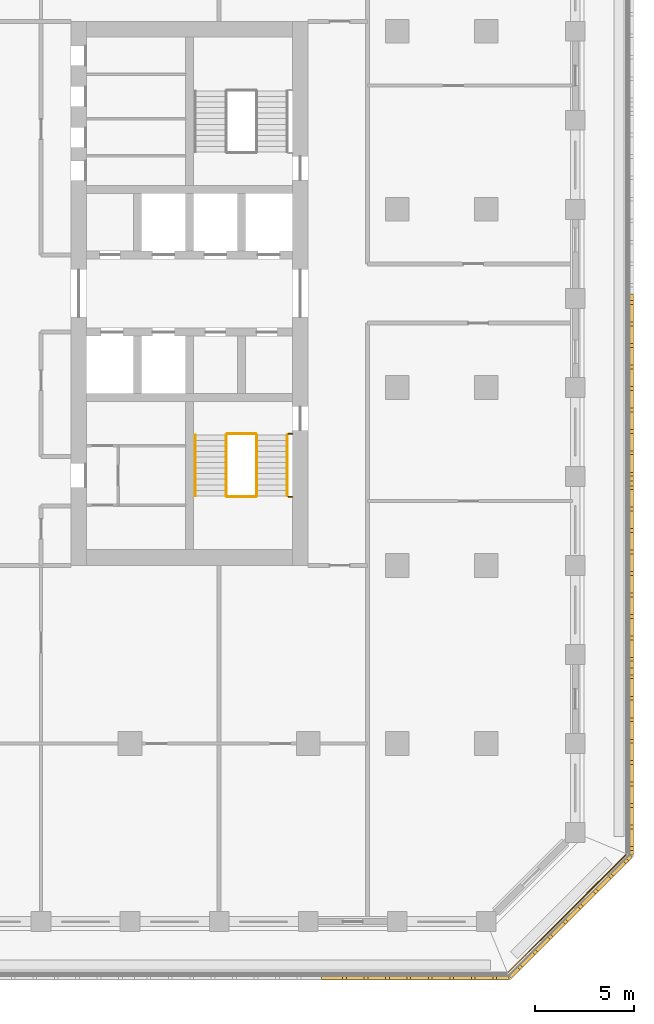
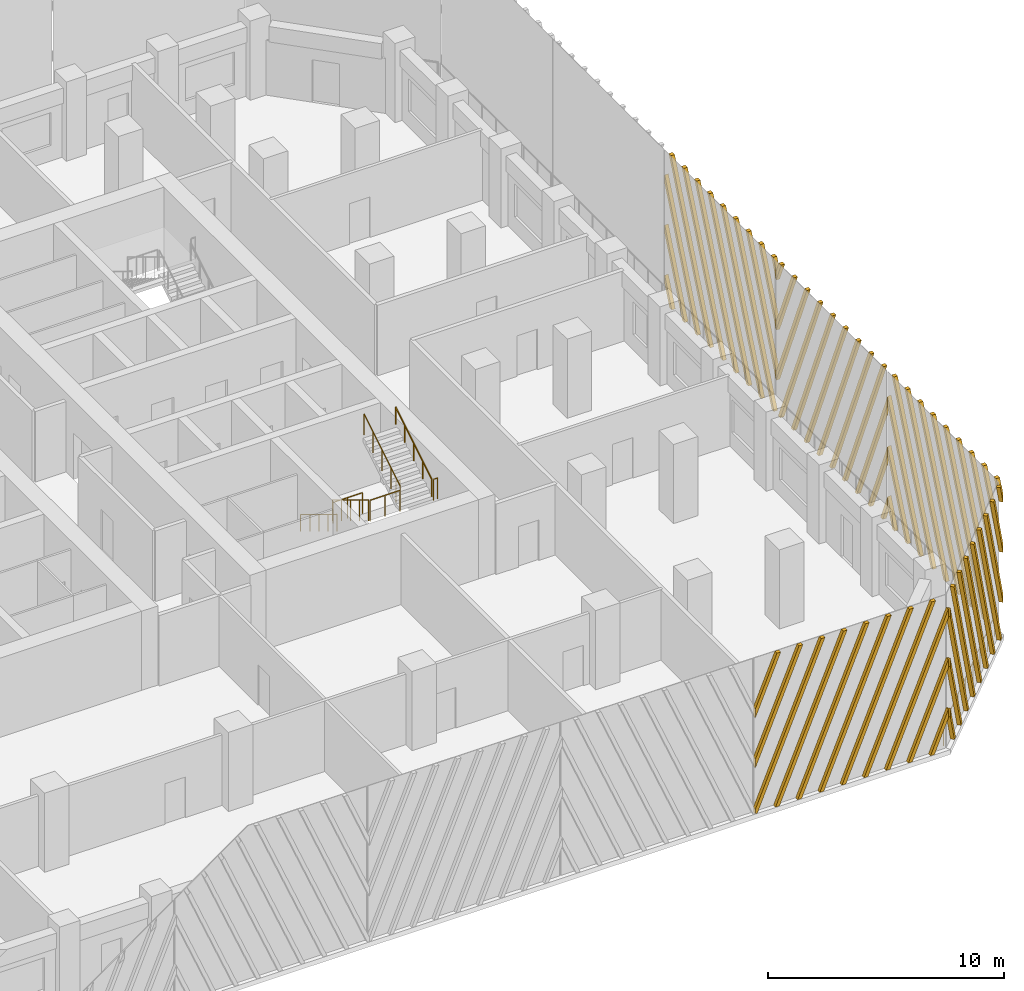
# One storey, part 11 of 16: 9 railings, 5 shading devices.
"""IFC4 building model written with IfcOpenShell, lengths in metres."""

from ifc_helpers import new_model, si_unit, direction, frame, origin, origin_2d, place, context, subcontext, project, spatial, polyline, circle, outline, extrude, source, transform, mapped, material, type_object, element, save


model = new_model("IFC4")

# Units and contexts
model_context = context("Model", 3, precision=1e-05, world=origin(), true_north=direction((0.0, 1.0)))
body_context = subcontext(model_context, "Body", "Model", "MODEL_VIEW")
ifc_project = project(units=[si_unit("LENGTHUNIT", "METRE"), si_unit("AREAUNIT", "SQUARE_METRE"), si_unit("VOLUMEUNIT", "CUBIC_METRE"), si_unit("PLANEANGLEUNIT", "RADIAN"), si_unit("MASSUNIT", "GRAM", prefix="KILO")], contexts=[model_context])

# Site, building, storey
site_placement = place(None, origin())
site = spatial("IfcSite", under=ifc_project, at=site_placement, CompositionType="ELEMENT")
building_placement = place(site_placement, origin())
building = spatial("IfcBuilding", under=site, at=building_placement, Name="Corbel Stack Research Tower", CompositionType="ELEMENT")
storey_placement = place(building_placement, frame((0.0, 0.0, 199.699951171875)))
storey = spatial("IfcBuildingStorey", under=building, at=storey_placement, Name="L45", CompositionType="ELEMENT", Elevation=199.699951171875)

# Railings
ifc_material_1 = material(Name="Steel S355", Category="steel")
railing_type_1 = type_object("IfcRailingType", Name="Stair guard 1100", PredefinedType="GUARDRAIL", material=ifc_material_1)
railing_1_placement = place(storey_placement, frame((13.85009765625, -2.39990234375, 0.1708984375)))
element("IfcRailing", 1, at=railing_1_placement, inside=storey, type_object=railing_type_1, Name="L45 ST-E1 stair guard 1", PredefinedType="GUARDRAIL", context=body_context, shape_type="SweptSolid", body=[
    extrude(circle(Radius=0.02392578125, at=origin_2d()), frame((0.0, 0.0, 1.076171875), z_axis=(0.0, -0.853666305674, 0.52082035152), x_axis=(1.0, 0.0, 0.0)), (0.0, 0.0, 1.0), 3.608154296875),
    extrude(circle(Radius=0.02099609375, at=origin_2d()), origin(), (0.0, 0.0, 1.0), 1.052001953125),
    extrude(circle(Radius=0.02099609375, at=origin_2d()), frame((0.0, -0.77001953125, 0.4697265625)), (0.0, 0.0, 1.0), 1.052001953125),
    extrude(circle(Radius=0.02099609375, at=origin_2d()), frame((0.0, -1.5400390625, 0.939453125)), (0.0, 0.0, 1.0), 1.052001953125),
    extrude(circle(Radius=0.02099609375, at=origin_2d()), frame((0.0, -2.31005859375, 1.409423828125)), (0.0, 0.0, 1.0), 1.052001953125),
    extrude(circle(Radius=0.02099609375, at=origin_2d()), frame((0.0, -3.080078125, 1.879150390625)), (0.0, 0.0, 1.0), 1.052001953125),
])
railing_2_placement = place(storey_placement, frame((13.89990234375, -5.530029296875, 2.050048828125)))
element("IfcRailing", 2, at=railing_2_placement, inside=storey, type_object=railing_type_1, Name="L45 ST-E1 stair guard 2", PredefinedType="GUARDRAIL", context=body_context, shape_type="SweptSolid", body=[
    extrude(circle(Radius=0.02392578125, at=origin_2d()), frame((0.0, 0.0, 1.076171875), z_axis=(1.0, 0.0, 0.0), x_axis=(0.0, 1.0, 0.0)), (0.0, 0.0, 1.0), 1.4501953125),
    extrude(circle(Radius=0.02099609375, at=origin_2d()), origin(), (0.0, 0.0, 1.0), 1.052001953125),
    extrude(circle(Radius=0.02099609375, at=origin_2d()), frame((0.72509765625, 0.0, 0.0)), (0.0, 0.0, 1.0), 1.052001953125),
    extrude(circle(Radius=0.02099609375, at=origin_2d()), frame((1.4501953125, 0.0, 0.0)), (0.0, 0.0, 1.0), 1.052001953125),
])
railing_3_placement = place(storey_placement, frame((17.0, -5.530029296875, 2.050048828125)))
element("IfcRailing", 3, at=railing_3_placement, inside=storey, type_object=railing_type_1, Name="L45 ST-E1 stair guard 3", PredefinedType="GUARDRAIL", context=body_context, shape_type="SweptSolid", body=[
    extrude(circle(Radius=0.02392578125, at=origin_2d()), frame((0.0, 0.0, 1.076171875), z_axis=(1.0, 0.0, 0.0), x_axis=(0.0, 1.0, 0.0)), (0.0, 0.0, 1.0), 0.199951171875),
    extrude(circle(Radius=0.02099609375, at=origin_2d()), origin(), (0.0, 0.0, 1.0), 1.052001953125),
    extrude(circle(Radius=0.02099609375, at=origin_2d()), frame((0.199951171875, 0.0, 0.0)), (0.0, 0.0, 1.0), 1.052001953125),
])
railing_4_placement = place(storey_placement, frame((15.39990234375, -5.47998046875, 2.220947265625)))
element("IfcRailing", 4, at=railing_4_placement, inside=storey, type_object=railing_type_1, Name="L45 ST-E1 stair guard 4", PredefinedType="GUARDRAIL", context=body_context, shape_type="SweptSolid", body=[
    extrude(circle(Radius=0.02392578125, at=origin_2d()), frame((0.0, 0.0, 1.076171875), z_axis=(0.0, 0.853666305674, 0.52082035152), x_axis=(-1.0, 0.0, 0.0)), (0.0, 0.0, 1.0), 3.608154296875),
    extrude(circle(Radius=0.02099609375, at=origin_2d()), origin(), (0.0, 0.0, 1.0), 1.052001953125),
    extrude(circle(Radius=0.02099609375, at=origin_2d()), frame((0.0, 0.77001953125, 0.4697265625)), (0.0, 0.0, 1.0), 1.052001953125),
    extrude(circle(Radius=0.02099609375, at=origin_2d()), frame((0.0, 1.5400390625, 0.939453125)), (0.0, 0.0, 1.0), 1.052001953125),
    extrude(circle(Radius=0.02099609375, at=origin_2d()), frame((0.0, 2.31005859375, 1.409423828125)), (0.0, 0.0, 1.0), 1.052001953125),
    extrude(circle(Radius=0.02099609375, at=origin_2d()), frame((0.0, 3.080078125, 1.879150390625)), (0.0, 0.0, 1.0), 1.052001953125),
])
railing_5_placement = place(storey_placement, frame((13.89990234375, -2.35009765625, 0.0)))
element("IfcRailing", 5, at=railing_5_placement, inside=storey, type_object=railing_type_1, Name="L45 ST-E1 stair guard 5", PredefinedType="GUARDRAIL", context=body_context, shape_type="SweptSolid", body=[
    extrude(circle(Radius=0.02392578125, at=origin_2d()), frame((0.0, 0.0, 1.076171875), z_axis=(1.0, 0.0, 0.0), x_axis=(0.0, 1.0, 0.0)), (0.0, 0.0, 1.0), 1.4501953125),
    extrude(circle(Radius=0.02099609375, at=origin_2d()), origin(), (0.0, 0.0, 1.0), 1.052001953125),
    extrude(circle(Radius=0.02099609375, at=origin_2d()), frame((0.72509765625, 0.0, 0.0)), (0.0, 0.0, 1.0), 1.052001953125),
    extrude(circle(Radius=0.02099609375, at=origin_2d()), frame((1.4501953125, 0.0, 0.0)), (0.0, 0.0, 1.0), 1.052001953125),
])
railing_6_placement = place(storey_placement, frame((17.0, -2.35009765625, 0.0)))
element("IfcRailing", 6, at=railing_6_placement, inside=storey, type_object=railing_type_1, Name="L45 ST-E1 stair guard 6", PredefinedType="GUARDRAIL", context=body_context, shape_type="SweptSolid", body=[
    extrude(circle(Radius=0.02392578125, at=origin_2d()), frame((0.0, 0.0, 1.076171875), z_axis=(1.0, 0.0, 0.0), x_axis=(0.0, 1.0, 0.0)), (0.0, 0.0, 1.0), 0.199951171875),
    extrude(circle(Radius=0.02099609375, at=origin_2d()), origin(), (0.0, 0.0, 1.0), 1.052001953125),
    extrude(circle(Radius=0.02099609375, at=origin_2d()), frame((0.199951171875, 0.0, 0.0)), (0.0, 0.0, 1.0), 1.052001953125),
])
ifc_material_2 = material(Name="Steel S355", Category="steel")
railing_type_2 = type_object("IfcRailingType", Name="Stair handrail 900", PredefinedType="HANDRAIL", material=ifc_material_2)
railing_7_placement = place(storey_placement, frame((12.300048828125, -2.39990234375, 0.1708984375)))
element("IfcRailing", 7, at=railing_7_placement, inside=storey, type_object=railing_type_2, Name="L45 ST-E1 stair handrail 1", PredefinedType="HANDRAIL", context=body_context, shape_type="SweptSolid", body=[
    extrude(circle(Radius=0.02392578125, at=origin_2d()), frame((0.0, 0.0, 0.8759765625), z_axis=(0.0, -0.853666305674, 0.52082035152), x_axis=(1.0, 0.0, 0.0)), (0.0, 0.0, 1.0), 3.608154296875),
    extrude(circle(Radius=0.02099609375, at=origin_2d()), origin(), (0.0, 0.0, 1.0), 0.851806640625),
    extrude(circle(Radius=0.02099609375, at=origin_2d()), frame((0.0, -0.77001953125, 0.4697265625)), (0.0, 0.0, 1.0), 0.851806640625),
    extrude(circle(Radius=0.02099609375, at=origin_2d()), frame((0.0, -1.5400390625, 0.939453125)), (0.0, 0.0, 1.0), 0.851806640625),
    extrude(circle(Radius=0.02099609375, at=origin_2d()), frame((0.0, -2.31005859375, 1.409423828125)), (0.0, 0.0, 1.0), 0.851806640625),
    extrude(circle(Radius=0.02099609375, at=origin_2d()), frame((0.0, -3.080078125, 1.879150390625)), (0.0, 0.0, 1.0), 0.851806640625),
])
railing_8_placement = place(storey_placement, frame((16.949951171875, -5.47998046875, 2.220947265625)))
element("IfcRailing", 8, at=railing_8_placement, inside=storey, type_object=railing_type_2, Name="L45 ST-E1 stair handrail 2", PredefinedType="HANDRAIL", context=body_context, shape_type="SweptSolid", body=[
    extrude(circle(Radius=0.02392578125, at=origin_2d()), frame((0.0, 0.0, 0.8759765625), z_axis=(0.0, 0.853666305674, 0.52082035152), x_axis=(-1.0, 0.0, 0.0)), (0.0, 0.0, 1.0), 3.608154296875),
    extrude(circle(Radius=0.02099609375, at=origin_2d()), origin(), (0.0, 0.0, 1.0), 0.851806640625),
    extrude(circle(Radius=0.02099609375, at=origin_2d()), frame((0.0, 0.77001953125, 0.4697265625)), (0.0, 0.0, 1.0), 0.851806640625),
    extrude(circle(Radius=0.02099609375, at=origin_2d()), frame((0.0, 1.5400390625, 0.939453125)), (0.0, 0.0, 1.0), 0.851806640625),
    extrude(circle(Radius=0.02099609375, at=origin_2d()), frame((0.0, 2.31005859375, 1.409423828125)), (0.0, 0.0, 1.0), 0.851806640625),
    extrude(circle(Radius=0.02099609375, at=origin_2d()), frame((0.0, 3.080078125, 1.879150390625)), (0.0, 0.0, 1.0), 0.851806640625),
])
ifc_material_3 = material(Name="Powder-coated steel guard", Category="steel")
railing_type_3 = type_object("IfcRailingType", Name="Steel and glass guard 1100", PredefinedType="GUARDRAIL", material=ifc_material_3)
railing_9_placement = place(storey_placement, frame((28.127685546875, -29.54931640625, 0.0)))
element("IfcRailing", 9, at=railing_9_placement, inside=storey, type_object=railing_type_3, Name="Loggia guard L45 SE", PredefinedType="GUARDRAIL", context=body_context, shape_type="SweptSolid", body=[
    extrude(circle(Radius=0.02392578125, at=origin_2d()), frame((0.0, 0.0, 1.076171875), z_axis=(0.707106781187, 0.707106781187, 0.0), x_axis=(-0.707106781187, 0.707106781187, 0.0)), (0.0, 0.0, 1.0), 8.37451171875),
    extrude(circle(Radius=0.02099609375, at=origin_2d()), origin(), (0.0, 0.0, 1.0), 1.052001953125),
    extrude(circle(Radius=0.02099609375, at=origin_2d()), frame((0.845947265625, 0.845947265625, 0.0)), (0.0, 0.0, 1.0), 1.052001953125),
    extrude(circle(Radius=0.02099609375, at=origin_2d()), frame((1.69189453125, 1.69189453125, 0.0)), (0.0, 0.0, 1.0), 1.052001953125),
    extrude(circle(Radius=0.02099609375, at=origin_2d()), frame((2.537841796875, 2.537841796875, 0.0)), (0.0, 0.0, 1.0), 1.052001953125),
    extrude(circle(Radius=0.02099609375, at=origin_2d()), frame((3.3837890625, 3.3837890625, 0.0)), (0.0, 0.0, 1.0), 1.052001953125),
    extrude(circle(Radius=0.02099609375, at=origin_2d()), frame((4.229736328125, 4.229736328125, 0.0)), (0.0, 0.0, 1.0), 1.052001953125),
    extrude(circle(Radius=0.02099609375, at=origin_2d()), frame((5.07568359375, 5.07568359375, 0.0)), (0.0, 0.0, 1.0), 1.052001953125),
    extrude(circle(Radius=0.02099609375, at=origin_2d()), frame((5.921630859375, 5.921630859375, 0.0)), (0.0, 0.0, 1.0), 1.052001953125),
])

# Shading devices
ifc_material_4 = material(Name="Precast terracotta", Category="masonry")
shading_device_type = type_object("IfcShadingDeviceType", Name="Terracotta screen panel", PredefinedType="USERDEFINED", material=ifc_material_4)
shared_shape_1 = source(origin(), body_context, "Body", "SweptSolid", [
    extrude(outline(polyline([(1.245849609375, 7.949951171875), (1.055908203125, 7.949951171875), (0.0, 5.421875), (0.0, 4.966796875), (1.245849609375, 7.949951171875)])), frame((0.0, 0.0, 0.0), z_axis=(0.0, -1.0, 0.0), x_axis=(1.0, 0.0, 0.0)), (0.0, 0.0, 1.0), 0.179931640625),
    extrude(outline(polyline([(2.33056640625, 7.949951171875), (2.140380859375, 7.949951171875), (0.0, 2.82470703125), (0.0, 2.36962890625), (2.33056640625, 7.949951171875)])), frame((0.0, 0.0, 0.0), z_axis=(0.0, -1.0, 0.0), x_axis=(1.0, 0.0, 0.0)), (0.0, 0.0, 1.0), 0.179931640625),
    extrude(outline(polyline([(0.094970703125, 0.0), (3.415283203125, 7.949951171875), (3.22509765625, 7.949951171875), (0.0, 0.2275390625), (0.0, 0.0), (0.094970703125, 0.0)])), frame((0.0, 0.0, 0.0), z_axis=(0.0, -1.0, 0.0), x_axis=(1.0, 0.0, 0.0)), (0.0, 0.0, 1.0), 0.179931640625),
    extrude(outline(polyline([(1.1796875, 0.0), (4.499755859375, 7.949951171875), (4.309814453125, 7.949951171875), (0.98974609375, 0.0), (1.1796875, 0.0)])), frame((0.0, 0.0, 0.0), z_axis=(0.0, -1.0, 0.0), x_axis=(1.0, 0.0, 0.0)), (0.0, 0.0, 1.0), 0.179931640625),
    extrude(outline(polyline([(2.264404296875, 0.0), (5.58447265625, 7.949951171875), (5.39453125, 7.949951171875), (2.07421875, 0.0), (2.264404296875, 0.0)])), frame((0.0, 0.0, 0.0), z_axis=(0.0, -1.0, 0.0), x_axis=(1.0, 0.0, 0.0)), (0.0, 0.0, 1.0), 0.179931640625),
    extrude(outline(polyline([(3.34912109375, 0.0), (6.669189453125, 7.949951171875), (6.479248046875, 7.949951171875), (3.158935546875, 0.0), (3.34912109375, 0.0)])), frame((0.0, 0.0, 0.0), z_axis=(0.0, -1.0, 0.0), x_axis=(1.0, 0.0, 0.0)), (0.0, 0.0, 1.0), 0.179931640625),
    extrude(outline(polyline([(4.43359375, 0.0), (7.75390625, 7.949951171875), (7.563720703125, 7.949951171875), (4.24365234375, 0.0), (4.43359375, 0.0)])), frame((0.0, 0.0, 0.0), z_axis=(0.0, -1.0, 0.0), x_axis=(1.0, 0.0, 0.0)), (0.0, 0.0, 1.0), 0.179931640625),
    extrude(outline(polyline([(5.518310546875, 0.0), (8.83837890625, 7.949951171875), (8.6484375, 7.949951171875), (5.328369140625, 0.0), (5.518310546875, 0.0)])), frame((0.0, 0.0, 0.0), z_axis=(0.0, -1.0, 0.0), x_axis=(1.0, 0.0, 0.0)), (0.0, 0.0, 1.0), 0.179931640625),
    extrude(outline(polyline([(6.60302734375, 0.0), (9.45556640625, 6.83056640625), (9.45556640625, 7.285400390625), (6.4130859375, 0.0), (6.60302734375, 0.0)])), frame((0.0, 0.0, 0.0), z_axis=(0.0, -1.0, 0.0), x_axis=(1.0, 0.0, 0.0)), (0.0, 0.0, 1.0), 0.179931640625),
    extrude(outline(polyline([(7.687744140625, 0.0), (9.45556640625, 4.2333984375), (9.45556640625, 4.688232421875), (7.497802734375, 0.0), (7.687744140625, 0.0)])), frame((0.0, 0.0, 0.0), z_axis=(0.0, -1.0, 0.0), x_axis=(1.0, 0.0, 0.0)), (0.0, 0.0, 1.0), 0.179931640625),
    extrude(outline(polyline([(8.772216796875, 0.0), (9.45556640625, 1.635986328125), (9.45556640625, 2.091064453125), (8.582275390625, 0.0), (8.772216796875, 0.0)])), frame((0.0, 0.0, 0.0), z_axis=(0.0, -1.0, 0.0), x_axis=(1.0, 0.0, 0.0)), (0.0, 0.0, 1.0), 0.179931640625),
])
shading_device_1_placement = place(storey_placement, frame((18.68359375, -29.75, 0.0), z_axis=(0.0, 0.0, 1.0), x_axis=(1.0, 0.0, 0.0)))
element("IfcShadingDevice", 10, at=shading_device_1_placement, inside=storey, type_object=shading_device_type, Name="Terracotta screen L45 S5", ObjectType="SCREEN", PredefinedType="USERDEFINED", context=body_context, shape_type="MappedRepresentation", body=[
    mapped(shared_shape_1, transform((0.0, 0.0, 0.0))),
])
shared_shape_2 = source(origin(), body_context, "Body", "SweptSolid", [
    extrude(outline(polyline([(0.873291015625, 0.0), (0.0, 2.091064453125), (0.0, 1.635986328125), (0.683349609375, 0.0), (0.873291015625, 0.0)])), frame((0.0, 0.0, 0.0), z_axis=(0.0, -1.0, 0.0), x_axis=(1.0, 0.0, 0.0)), (0.0, 0.0, 1.0), 0.179931640625),
    extrude(outline(polyline([(1.9580078125, 0.0), (0.0, 4.688232421875), (0.0, 4.2333984375), (1.76806640625, 0.0), (1.9580078125, 0.0)])), frame((0.0, 0.0, 0.0), z_axis=(0.0, -1.0, 0.0), x_axis=(1.0, 0.0, 0.0)), (0.0, 0.0, 1.0), 0.179931640625),
    extrude(outline(polyline([(3.04248046875, 0.0), (0.0, 7.285400390625), (0.0, 6.83056640625), (2.8525390625, 0.0), (3.04248046875, 0.0)])), frame((0.0, 0.0, 0.0), z_axis=(0.0, -1.0, 0.0), x_axis=(1.0, 0.0, 0.0)), (0.0, 0.0, 1.0), 0.179931640625),
    extrude(outline(polyline([(4.127197265625, 0.0), (0.80712890625, 7.949951171875), (0.6171875, 7.949951171875), (3.937255859375, 0.0), (4.127197265625, 0.0)])), frame((0.0, 0.0, 0.0), z_axis=(0.0, -1.0, 0.0), x_axis=(1.0, 0.0, 0.0)), (0.0, 0.0, 1.0), 0.179931640625),
    extrude(outline(polyline([(5.2119140625, 0.0), (1.891845703125, 7.949951171875), (1.701904296875, 7.949951171875), (5.02197265625, 0.0), (5.2119140625, 0.0)])), frame((0.0, 0.0, 0.0), z_axis=(0.0, -1.0, 0.0), x_axis=(1.0, 0.0, 0.0)), (0.0, 0.0, 1.0), 0.179931640625),
    extrude(outline(polyline([(6.296630859375, 0.0), (2.9765625, 7.949951171875), (2.78662109375, 7.949951171875), (6.106689453125, 0.0), (6.296630859375, 0.0)])), frame((0.0, 0.0, 0.0), z_axis=(0.0, -1.0, 0.0), x_axis=(1.0, 0.0, 0.0)), (0.0, 0.0, 1.0), 0.179931640625),
    extrude(outline(polyline([(7.38134765625, 0.0), (4.06103515625, 7.949951171875), (3.87109375, 7.949951171875), (7.19140625, 0.0), (7.38134765625, 0.0)])), frame((0.0, 0.0, 0.0), z_axis=(0.0, -1.0, 0.0), x_axis=(1.0, 0.0, 0.0)), (0.0, 0.0, 1.0), 0.179931640625),
    extrude(outline(polyline([(8.466064453125, 0.0), (5.145751953125, 7.949951171875), (4.955810546875, 7.949951171875), (8.27587890625, 0.0), (8.466064453125, 0.0)])), frame((0.0, 0.0, 0.0), z_axis=(0.0, -1.0, 0.0), x_axis=(1.0, 0.0, 0.0)), (0.0, 0.0, 1.0), 0.179931640625),
    extrude(outline(polyline([(6.23046875, 7.949951171875), (6.04052734375, 7.949951171875), (8.64208984375, 1.720458984375), (8.64208984375, 2.17529296875), (6.23046875, 7.949951171875)])), frame((0.0, 0.0, 0.0), z_axis=(0.0, -1.0, 0.0), x_axis=(1.0, 0.0, 0.0)), (0.0, 0.0, 1.0), 0.179931640625),
    extrude(outline(polyline([(7.315185546875, 7.949951171875), (7.125, 7.949951171875), (8.64208984375, 4.317626953125), (8.64208984375, 4.7724609375), (7.315185546875, 7.949951171875)])), frame((0.0, 0.0, 0.0), z_axis=(0.0, -1.0, 0.0), x_axis=(1.0, 0.0, 0.0)), (0.0, 0.0, 1.0), 0.179931640625),
    extrude(outline(polyline([(8.39990234375, 7.949951171875), (8.209716796875, 7.949951171875), (8.64208984375, 6.914794921875), (8.64208984375, 7.36962890625), (8.39990234375, 7.949951171875)])), frame((0.0, 0.0, 0.0), z_axis=(0.0, -1.0, 0.0), x_axis=(1.0, 0.0, 0.0)), (0.0, 0.0, 1.0), 0.179931640625),
])
shading_device_2_placement = place(storey_placement, frame((28.13916015625, -29.75, 0.0), z_axis=(0.0, 0.0, 1.0), x_axis=(0.707106781187, 0.707106781187, 0.0)))
element("IfcShadingDevice", 11, at=shading_device_2_placement, inside=storey, type_object=shading_device_type, Name="Terracotta screen L45 SE1", ObjectType="SCREEN", PredefinedType="USERDEFINED", context=body_context, shape_type="MappedRepresentation", body=[
    mapped(shared_shape_2, transform((0.0, 0.0, 0.0))),
])
shared_shape_3 = source(origin(), body_context, "Body", "SweptSolid", [
    extrude(outline(polyline([(0.432373046875, 7.949951171875), (0.2421875, 7.949951171875), (0.0, 7.36962890625), (0.0, 6.914794921875), (0.432373046875, 7.949951171875)])), frame((0.0, 0.0, 0.0), z_axis=(0.0, -1.0, 0.0), x_axis=(1.0, 0.0, 0.0)), (0.0, 0.0, 1.0), 0.179931640625),
    extrude(outline(polyline([(1.51708984375, 7.949951171875), (1.326904296875, 7.949951171875), (0.0, 4.7724609375), (0.0, 4.317626953125), (1.51708984375, 7.949951171875)])), frame((0.0, 0.0, 0.0), z_axis=(0.0, -1.0, 0.0), x_axis=(1.0, 0.0, 0.0)), (0.0, 0.0, 1.0), 0.179931640625),
    extrude(outline(polyline([(2.601806640625, 7.949951171875), (2.41162109375, 7.949951171875), (0.0, 2.17529296875), (0.0, 1.720458984375), (2.601806640625, 7.949951171875)])), frame((0.0, 0.0, 0.0), z_axis=(0.0, -1.0, 0.0), x_axis=(1.0, 0.0, 0.0)), (0.0, 0.0, 1.0), 0.179931640625),
    extrude(outline(polyline([(0.3662109375, 0.0), (3.686279296875, 7.949951171875), (3.496337890625, 7.949951171875), (0.17626953125, 0.0), (0.3662109375, 0.0)])), frame((0.0, 0.0, 0.0), z_axis=(0.0, -1.0, 0.0), x_axis=(1.0, 0.0, 0.0)), (0.0, 0.0, 1.0), 0.179931640625),
    extrude(outline(polyline([(1.45068359375, 0.0), (4.77099609375, 7.949951171875), (4.5810546875, 7.949951171875), (1.2607421875, 0.0), (1.45068359375, 0.0)])), frame((0.0, 0.0, 0.0), z_axis=(0.0, -1.0, 0.0), x_axis=(1.0, 0.0, 0.0)), (0.0, 0.0, 1.0), 0.179931640625),
    extrude(outline(polyline([(2.535400390625, 0.0), (5.855712890625, 7.949951171875), (5.665771484375, 7.949951171875), (2.345458984375, 0.0), (2.535400390625, 0.0)])), frame((0.0, 0.0, 0.0), z_axis=(0.0, -1.0, 0.0), x_axis=(1.0, 0.0, 0.0)), (0.0, 0.0, 1.0), 0.179931640625),
    extrude(outline(polyline([(3.6201171875, 0.0), (6.940185546875, 7.949951171875), (6.750244140625, 7.949951171875), (3.43017578125, 0.0), (3.6201171875, 0.0)])), frame((0.0, 0.0, 0.0), z_axis=(0.0, -1.0, 0.0), x_axis=(1.0, 0.0, 0.0)), (0.0, 0.0, 1.0), 0.179931640625),
    extrude(outline(polyline([(4.704833984375, 0.0), (8.02490234375, 7.949951171875), (7.8349609375, 7.949951171875), (4.514892578125, 0.0), (4.704833984375, 0.0)])), frame((0.0, 0.0, 0.0), z_axis=(0.0, -1.0, 0.0), x_axis=(1.0, 0.0, 0.0)), (0.0, 0.0, 1.0), 0.179931640625),
    extrude(outline(polyline([(5.78955078125, 0.0), (9.109619140625, 7.949951171875), (8.919677734375, 7.949951171875), (5.599609375, 0.0), (5.78955078125, 0.0)])), frame((0.0, 0.0, 0.0), z_axis=(0.0, -1.0, 0.0), x_axis=(1.0, 0.0, 0.0)), (0.0, 0.0, 1.0), 0.179931640625),
    extrude(outline(polyline([(6.874267578125, 0.0), (9.45556640625, 6.18115234375), (9.45556640625, 6.63623046875), (6.68408203125, 0.0), (6.874267578125, 0.0)])), frame((0.0, 0.0, 0.0), z_axis=(0.0, -1.0, 0.0), x_axis=(1.0, 0.0, 0.0)), (0.0, 0.0, 1.0), 0.179931640625),
    extrude(outline(polyline([(7.958740234375, 0.0), (9.45556640625, 3.583984375), (9.45556640625, 4.0390625), (7.768798828125, 0.0), (7.958740234375, 0.0)])), frame((0.0, 0.0, 0.0), z_axis=(0.0, -1.0, 0.0), x_axis=(1.0, 0.0, 0.0)), (0.0, 0.0, 1.0), 0.179931640625),
    extrude(outline(polyline([(9.04345703125, 0.0), (9.45556640625, 0.98681640625), (9.45556640625, 1.44189453125), (8.853515625, 0.0), (9.04345703125, 0.0)])), frame((0.0, 0.0, 0.0), z_axis=(0.0, -1.0, 0.0), x_axis=(1.0, 0.0, 0.0)), (0.0, 0.0, 1.0), 0.179931640625),
])
for number, where, z_axis, x_axis, name in (
    (12, (34.25, -23.63916015625, 0.0), (0.0, 0.0, 1.0), (0.0, 1.0, 0.0), "Terracotta screen L45 E1"),
    (13, (34.25, -4.727783203125, 0.0), (0.0, 0.0, 1.0), (0.0, 1.0, 0.0), "Terracotta screen L45 E3"),
):
    element("IfcShadingDevice", number, at=place(storey_placement, frame(where, z_axis=z_axis, x_axis=x_axis)), inside=storey, type_object=shading_device_type, Name=name, ObjectType="SCREEN", PredefinedType="USERDEFINED", context=body_context, shape_type="MappedRepresentation", body=[
        mapped(shared_shape_3, transform((0.0, 0.0, 0.0))),
    ])
shared_shape_4 = source(origin(), body_context, "Body", "SweptSolid", [
    extrude(outline(polyline([(0.60205078125, 0.0), (0.0, 1.44189453125), (0.0, 0.98681640625), (0.412109375, 0.0), (0.60205078125, 0.0)])), frame((0.0, 0.0, 0.0), z_axis=(0.0, -1.0, 0.0), x_axis=(1.0, 0.0, 0.0)), (0.0, 0.0, 1.0), 0.179931640625),
    extrude(outline(polyline([(1.686767578125, 0.0), (0.0, 4.0390625), (0.0, 3.583984375), (1.496826171875, 0.0), (1.686767578125, 0.0)])), frame((0.0, 0.0, 0.0), z_axis=(0.0, -1.0, 0.0), x_axis=(1.0, 0.0, 0.0)), (0.0, 0.0, 1.0), 0.179931640625),
    extrude(outline(polyline([(2.771484375, 0.0), (0.0, 6.63623046875), (0.0, 6.18115234375), (2.58154296875, 0.0), (2.771484375, 0.0)])), frame((0.0, 0.0, 0.0), z_axis=(0.0, -1.0, 0.0), x_axis=(1.0, 0.0, 0.0)), (0.0, 0.0, 1.0), 0.179931640625),
    extrude(outline(polyline([(3.856201171875, 0.0), (0.535888671875, 7.949951171875), (0.345947265625, 7.949951171875), (3.666015625, 0.0), (3.856201171875, 0.0)])), frame((0.0, 0.0, 0.0), z_axis=(0.0, -1.0, 0.0), x_axis=(1.0, 0.0, 0.0)), (0.0, 0.0, 1.0), 0.179931640625),
    extrude(outline(polyline([(4.94091796875, 0.0), (1.62060546875, 7.949951171875), (1.4306640625, 7.949951171875), (4.750732421875, 0.0), (4.94091796875, 0.0)])), frame((0.0, 0.0, 0.0), z_axis=(0.0, -1.0, 0.0), x_axis=(1.0, 0.0, 0.0)), (0.0, 0.0, 1.0), 0.179931640625),
    extrude(outline(polyline([(6.025390625, 0.0), (2.705322265625, 7.949951171875), (2.515380859375, 7.949951171875), (5.83544921875, 0.0), (6.025390625, 0.0)])), frame((0.0, 0.0, 0.0), z_axis=(0.0, -1.0, 0.0), x_axis=(1.0, 0.0, 0.0)), (0.0, 0.0, 1.0), 0.179931640625),
    extrude(outline(polyline([(7.110107421875, 0.0), (3.7900390625, 7.949951171875), (3.60009765625, 7.949951171875), (6.920166015625, 0.0), (7.110107421875, 0.0)])), frame((0.0, 0.0, 0.0), z_axis=(0.0, -1.0, 0.0), x_axis=(1.0, 0.0, 0.0)), (0.0, 0.0, 1.0), 0.179931640625),
    extrude(outline(polyline([(8.19482421875, 0.0), (4.87451171875, 7.949951171875), (4.6845703125, 7.949951171875), (8.0048828125, 0.0), (8.19482421875, 0.0)])), frame((0.0, 0.0, 0.0), z_axis=(0.0, -1.0, 0.0), x_axis=(1.0, 0.0, 0.0)), (0.0, 0.0, 1.0), 0.179931640625),
    extrude(outline(polyline([(9.279541015625, 0.0), (5.959228515625, 7.949951171875), (5.769287109375, 7.949951171875), (9.089599609375, 0.0), (9.279541015625, 0.0)])), frame((0.0, 0.0, 0.0), z_axis=(0.0, -1.0, 0.0), x_axis=(1.0, 0.0, 0.0)), (0.0, 0.0, 1.0), 0.179931640625),
    extrude(outline(polyline([(7.0439453125, 7.949951171875), (6.85400390625, 7.949951171875), (9.45556640625, 1.720458984375), (9.45556640625, 2.17529296875), (7.0439453125, 7.949951171875)])), frame((0.0, 0.0, 0.0), z_axis=(0.0, -1.0, 0.0), x_axis=(1.0, 0.0, 0.0)), (0.0, 0.0, 1.0), 0.179931640625),
    extrude(outline(polyline([(8.128662109375, 7.949951171875), (7.938720703125, 7.949951171875), (9.45556640625, 4.317626953125), (9.45556640625, 4.7724609375), (8.128662109375, 7.949951171875)])), frame((0.0, 0.0, 0.0), z_axis=(0.0, -1.0, 0.0), x_axis=(1.0, 0.0, 0.0)), (0.0, 0.0, 1.0), 0.179931640625),
    extrude(outline(polyline([(9.21337890625, 7.949951171875), (9.023193359375, 7.949951171875), (9.45556640625, 6.914794921875), (9.45556640625, 7.36962890625), (9.21337890625, 7.949951171875)])), frame((0.0, 0.0, 0.0), z_axis=(0.0, -1.0, 0.0), x_axis=(1.0, 0.0, 0.0)), (0.0, 0.0, 1.0), 0.179931640625),
])
shading_device_3_placement = place(storey_placement, frame((34.25, -14.18359375, 0.0), z_axis=(0.0, 0.0, 1.0), x_axis=(0.0, 1.0, 0.0)))
element("IfcShadingDevice", 14, at=shading_device_3_placement, inside=storey, type_object=shading_device_type, Name="Terracotta screen L45 E2", ObjectType="SCREEN", PredefinedType="USERDEFINED", context=body_context, shape_type="MappedRepresentation", body=[
    mapped(shared_shape_4, transform((0.0, 0.0, 0.0))),
])

save(model, "model.ifc")
